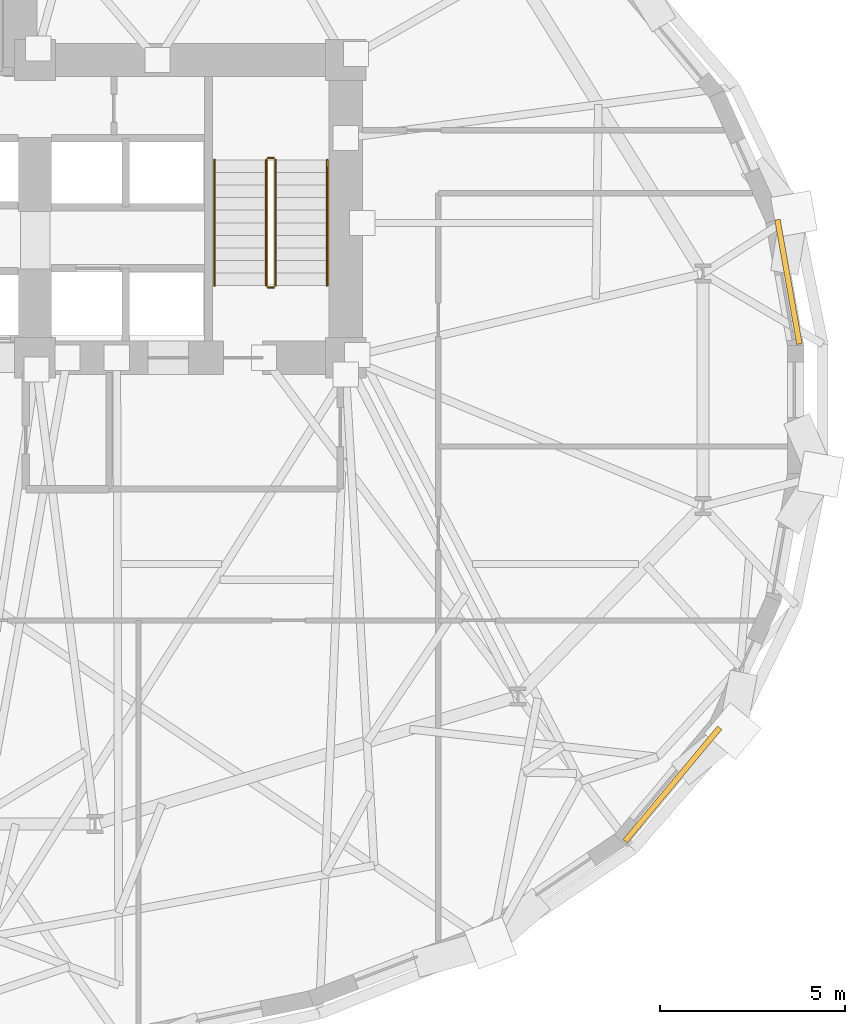
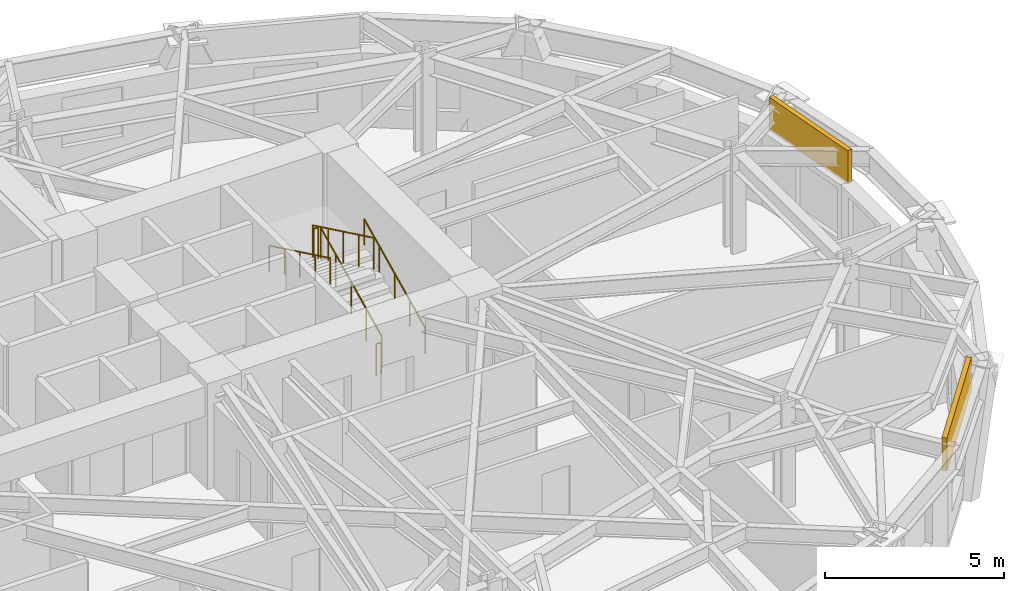
# One storey, part 12 of 13: 6 railings, 2 coverings.
"""IFC4 building model written with IfcOpenShell, lengths in metres."""

import ifcopenshell
import ifcopenshell.guid

model = None  # the IFC model being written
_history = None  # IfcOwnerHistory: only IFC2X3 demands one
_inside = {}  # id of a spatial element -> (the spatial element, [elements in it])
_under = {}  # id of a project, library or spatial element -> (it, [spatial elements below it])
_declared = {}  # id of a project -> (the project, [libraries it declares])
_typed = {}  # id of a type object -> (the type object, [elements of that type])
_made_of = {}  # id of a material, layer set ... -> (it, [elements and type objects made of it])


def new_model(schema):
    """Start an empty IFC model of exactly this schema.

    Asked for "IFC4X3", IfcOpenShell would pick the latest addendum, in which some entities
    have other attributes; the version numbers below select the first issue.
    IFC2X3 requires an IfcOwnerHistory on every rooted entity: one is made here for all.
    """
    global model, _history
    if schema == "IFC4X3":
        model = ifcopenshell.file(schema_version=(4, 3, 0, 0))
    else:
        model = ifcopenshell.file(schema=schema)
    _inside.clear()
    _under.clear()
    _declared.clear()
    _typed.clear()
    _made_of.clear()
    _history = None
    if model.schema == "IFC2X3":
        org = make("IfcOrganization", Name="unknown")
        user = make(
            "IfcPersonAndOrganization",
            ThePerson=make("IfcPerson", FamilyName="unknown"),
            TheOrganization=org,
        )
        app = make(
            "IfcApplication",
            ApplicationDeveloper=org,
            Version="unknown",
            ApplicationFullName="unknown",
            ApplicationIdentifier="unknown",
        )
        _history = make(
            "IfcOwnerHistory",
            OwningUser=user,
            OwningApplication=app,
            ChangeAction="ADDED",
            CreationDate=0,
        )
    return model


def make(cls, **values):
    """One entity of the class cls with the attributes given. An attribute that is None is left unset."""
    return model.create_entity(
        cls, **{name: value for name, value in values.items() if value is not None}
    )


def rooted(cls, **values):
    """An entity with a GlobalId (a new one), such as an element, a storey or a relation."""
    return make(cls, GlobalId=ifcopenshell.guid.new(), OwnerHistory=_history, **values)


def si_unit(unit_type, name, prefix=None):
    """IfcSIUnit, for example si_unit("LENGTHUNIT", "METRE", prefix="MILLI")."""
    return make("IfcSIUnit", UnitType=unit_type, Prefix=prefix, Name=name)


def assignment(units):
    """IfcUnitAssignment: the units of a project."""
    return None if units is None else make("IfcUnitAssignment", Units=units)


def point(xyz):
    """IfcCartesianPoint."""
    return None if xyz is None else make("IfcCartesianPoint", Coordinates=xyz)


def direction(xyz):
    """IfcDirection."""
    return None if xyz is None else make("IfcDirection", DirectionRatios=xyz)


def frame(location, z_axis=None, x_axis=None):
    """IfcAxis2Placement3D, a coordinate frame: its origin and axes. An axis left out is left unset."""
    return make(
        "IfcAxis2Placement3D",
        Location=point(location),
        Axis=direction(z_axis),
        RefDirection=direction(x_axis),
    )


def frame_2d(location, x_axis=None):
    """IfcAxis2Placement2D, a coordinate frame in the plane: its origin and x axis."""
    return make(
        "IfcAxis2Placement2D", Location=point(location), RefDirection=direction(x_axis)
    )


def origin():
    """The frame at (0, 0, 0) with its axes left unset."""
    return frame((0.0, 0.0, 0.0))


def origin_2d():
    """The frame at (0, 0) in the plane with its x axis left unset."""
    return frame_2d((0.0, 0.0))


def place(relative_to, where):
    """IfcLocalPlacement: puts the frame where relative to a parent placement (None: the world)."""
    return make(
        "IfcLocalPlacement", PlacementRelTo=relative_to, RelativePlacement=where
    )


def context(
    kind, dimensions, precision=None, world=None, true_north=None, identifier=None
):
    """IfcGeometricRepresentationContext, for example the 3D "Model" context."""
    return make(
        "IfcGeometricRepresentationContext",
        ContextIdentifier=identifier,
        ContextType=kind,
        CoordinateSpaceDimension=dimensions,
        Precision=precision,
        WorldCoordinateSystem=world,
        TrueNorth=true_north,
    )


def subcontext(parent, identifier, kind, view, scale=None):
    """IfcGeometricRepresentationSubContext, for example "Body" below "Model"."""
    return make(
        "IfcGeometricRepresentationSubContext",
        ContextIdentifier=identifier,
        ContextType=kind,
        ParentContext=parent,
        TargetScale=scale,
        TargetView=view,
    )


def project(units=None, contexts=None):
    """IfcProject with its units and contexts."""
    return rooted(
        "IfcProject",
        Name="project",
        RepresentationContexts=contexts,
        UnitsInContext=assignment(units),
    )


def spatial(cls, under=None, at=None, **own):
    """A site, building, storey or space (cls), placed at a placement, below another one or the project."""
    s = rooted(cls, ObjectPlacement=at, **own)
    if under is not None:
        _under.setdefault(under.id(), (under, []))[1].append(s)
    return s


def profile(cls, at=None, kind="AREA", **sizes):
    """A parametric profile (cls). Its sizes go by their IFC names, for example OverallWidth=200.0."""
    return make(cls, ProfileType=kind, Position=at, **sizes)


def rectangle(**sizes):
    """IfcRectangleProfileDef."""
    return profile("IfcRectangleProfileDef", **sizes)


def circle(**sizes):
    """IfcCircleProfileDef."""
    return profile("IfcCircleProfileDef", **sizes)


def extrude(swept, where, along, depth):
    """IfcExtrudedAreaSolid: the profile swept, set in the frame where, extruded along a direction by depth."""
    return make(
        "IfcExtrudedAreaSolid",
        SweptArea=swept,
        Position=where,
        ExtrudedDirection=direction(along),
        Depth=depth,
    )


def shape(context_of_items, identifier, shape_type, items):
    """IfcShapeRepresentation: the items that make up one representation, for example the "Body"."""
    return make(
        "IfcShapeRepresentation",
        ContextOfItems=context_of_items,
        RepresentationIdentifier=identifier,
        RepresentationType=shape_type,
        Items=items,
    )


def material(Name=None, Category=None):
    """IfcMaterial."""
    return make("IfcMaterial", Name=Name, Category=Category)


def layer(
    of_material, thickness, ventilated=None, Name=None, Category=None, Priority=None
):
    """IfcMaterialLayer: one layer of a wall or slab, of a material (None: an air gap)."""
    return make(
        "IfcMaterialLayer",
        Material=of_material,
        LayerThickness=thickness,
        IsVentilated=ventilated,
        Name=Name,
        Category=Category,
        Priority=Priority,
    )


def layer_set(layers, Name=None):
    """IfcMaterialLayerSet."""
    return make("IfcMaterialLayerSet", MaterialLayers=layers, LayerSetName=Name)


def made_of(thing, what):
    """Note that an element or type object is made of a material, layer set ...; save() writes the relation."""
    if what is not None:
        _made_of.setdefault(what.id(), (what, []))[1].append(thing)
    return thing


def type_object(cls, material=None, **own):
    """A type object (cls), such as IfcWallType, which elements share."""
    return made_of(rooted(cls, **own), material)


def element(
    cls,
    number,
    at=None,
    inside=None,
    cuts=None,
    type_object=None,
    material=None,
    context=None,
    identifier="Body",
    shape_type=None,
    held_by="IfcProductDefinitionShape",
    body=None,
    shapes=None,
    **own,
):
    """One element of the class cls, such as IfcWall. Its Tag is "e" and its number.

    at: its placement. inside: the storey or other place that contains it. cuts: it is an
    opening in that element (IfcRelVoidsElement). A single representation is given by context,
    identifier, shape_type and body (its items); several are given by shapes. held_by: the class
    of the entity that holds the representations. save() writes the other relations.
    """
    e = rooted(cls, Tag="e%d" % number, ObjectPlacement=at, **own)
    if body is not None:
        shapes = [shape(context, identifier, shape_type, body)]
    if shapes is not None:
        e.Representation = make(held_by, Representations=shapes)
    if inside is not None:
        _inside.setdefault(inside.id(), (inside, []))[1].append(e)
    if cuts is not None:
        rooted(
            "IfcRelVoidsElement", RelatingBuildingElement=cuts, RelatedOpeningElement=e
        )
    if type_object is not None:
        _typed.setdefault(type_object.id(), (type_object, []))[1].append(e)
    return made_of(e, material)


def aggregate(whole, parts):
    """IfcRelAggregates: a whole, such as a stair, and the parts it consists of."""
    return rooted("IfcRelAggregates", RelatingObject=whole, RelatedObjects=parts)


def save(model, path):
    """Write the relations noted so far, then the file.

    IfcRelAggregates (storeys below a building ...), IfcRelContainedInSpatialStructure (elements
    in a storey), IfcRelDefinesByType, IfcRelAssociatesMaterial and IfcRelDeclares: one each for
    every whole, place, type object, material and project.
    """
    for whole, parts in _under.values():
        aggregate(whole, parts)
    for where, things in _inside.values():
        rooted(
            "IfcRelContainedInSpatialStructure",
            RelatedElements=things,
            RelatingStructure=where,
        )
    for kind, things in _typed.values():
        rooted("IfcRelDefinesByType", RelatedObjects=things, RelatingType=kind)
    for what, things in _made_of.values():
        rooted("IfcRelAssociatesMaterial", RelatedObjects=things, RelatingMaterial=what)
    for by, libraries in _declared.values():
        rooted("IfcRelDeclares", RelatingContext=by, RelatedDefinitions=libraries)
    model.write(path)


model = new_model("IFC4")

# Units and contexts
model_context = context("Model", 3, precision=1e-05, world=origin(), true_north=direction((0.0, 1.0)))
body_context = subcontext(model_context, "Body", "Model", "MODEL_VIEW")
ifc_project = project(units=[si_unit("LENGTHUNIT", "METRE"), si_unit("AREAUNIT", "SQUARE_METRE"), si_unit("VOLUMEUNIT", "CUBIC_METRE"), si_unit("PLANEANGLEUNIT", "RADIAN"), si_unit("MASSUNIT", "GRAM", prefix="KILO")], contexts=[model_context])

# Site, building, storey
site_placement = place(None, origin())
site = spatial("IfcSite", under=ifc_project, at=site_placement, CompositionType="ELEMENT")
building_placement = place(site_placement, origin())
building = spatial("IfcBuilding", under=site, at=building_placement, Name="Keldmark Tower", CompositionType="ELEMENT")
storey_placement = place(building_placement, frame((0.0, 0.0, 34.199951171875)))
storey = spatial("IfcBuildingStorey", under=building, at=storey_placement, Name="L08", CompositionType="ELEMENT", Elevation=34.199951171875)

# Coverings
ifc_material_1 = material(Name="Honed Kasota Buff Dolomitic Limestone", Category="masonry")
ifc_layer = layer(ifc_material_1, 0.074951171875)
ifc_layer_set = layer_set([ifc_layer], Name="Honed Kasota Buff Dolomitic Limestone")
covering_type = type_object("IfcCoveringType", Name="Kasota Buff Limestone Spandrel Cladding Band", PredefinedType="CLADDING", material=ifc_layer_set)
covering_1_placement = place(storey_placement, frame((25.5673828125, 3.453125, 2.453125), z_axis=(0.0, 0.0, 1.0), x_axis=(-0.174026303888, 0.984741004303, 0.0)))
element("IfcCovering", 1, at=covering_1_placement, inside=storey, type_object=covering_type, Name="L08 Kasota Limestone Spandrel Band 01", PredefinedType="CLADDING", context=body_context, shape_type="SweptSolid", body=[
    extrude(rectangle(XDim=3.412353515625, YDim=0.14990234375, at=origin_2d()), origin(), (0.0, 0.0, 1.0), 1.126953125),
])
covering_2_placement = place(storey_placement, frame((22.430419921875, -10.133544921875, 2.453125), z_axis=(0.0, 0.0, 1.0), x_axis=(0.640686109478, 0.767802910337, 0.0)))
element("IfcCovering", 2, at=covering_2_placement, inside=storey, type_object=covering_type, Name="L08 Kasota Limestone Spandrel Band 29", PredefinedType="CLADDING", context=body_context, shape_type="SweptSolid", body=[
    extrude(rectangle(XDim=3.989501953125, YDim=0.14990234375, at=origin_2d()), origin(), (0.0, 0.0, 1.0), 1.126953125),
])

# Railings
ifc_material_2 = material(Name="Painted Steel ASTM A500 Grade B", Category="steel")
railing_type_1 = type_object("IfcRailingType", Name="Painted Steel Stair Well Guard 1100 mm", PredefinedType="GUARDRAIL", material=ifc_material_2)
railing_1_placement = place(storey_placement, frame((11.699951171875, 3.35009765625, 0.16357421875)))
element("IfcRailing", 3, at=railing_1_placement, inside=storey, type_object=railing_type_1, Name="L08 ST2 stair guard 1", PredefinedType="GUARDRAIL", context=body_context, shape_type="SweptSolid", body=[
    extrude(circle(Radius=0.02392578125, at=origin_2d()), frame((0.0, 0.0, 1.076171875), z_axis=(0.0, 0.901055053782, 0.433704726806), x_axis=(-1.0, 0.0, 0.0)), (0.0, 0.0, 1.0), 3.773193359375),
    extrude(circle(Radius=0.02099609375, at=origin_2d()), origin(), (0.0, 0.0, 1.0), 1.052001953125),
    extrude(circle(Radius=0.02099609375, at=origin_2d()), frame((0.0, 0.85009765625, 0.4091796875)), (0.0, 0.0, 1.0), 1.052001953125),
    extrude(circle(Radius=0.02099609375, at=origin_2d()), frame((0.0, 1.699951171875, 0.818359375)), (0.0, 0.0, 1.0), 1.052001953125),
    extrude(circle(Radius=0.02099609375, at=origin_2d()), frame((0.0, 2.5498046875, 1.227294921875)), (0.0, 0.0, 1.0), 1.052001953125),
    extrude(circle(Radius=0.02099609375, at=origin_2d()), frame((0.0, 3.39990234375, 1.636474609375)), (0.0, 0.0, 1.0), 1.052001953125),
])
railing_2_placement = place(storey_placement, frame((11.64990234375, 6.800048828125, 1.800048828125)))
element("IfcRailing", 4, at=railing_2_placement, inside=storey, type_object=railing_type_1, Name="L08 ST2 stair guard 2", PredefinedType="GUARDRAIL", context=body_context, shape_type="SweptSolid", body=[
    extrude(circle(Radius=0.02392578125, at=origin_2d()), frame((0.0, 0.0, 1.076171875), z_axis=(-1.0, 0.0, 0.0), x_axis=(0.0, -1.0, 0.0)), (0.0, 0.0, 1.0), 0.14990234375),
    extrude(circle(Radius=0.02099609375, at=origin_2d()), origin(), (0.0, 0.0, 1.0), 1.052001953125),
    extrude(circle(Radius=0.02099609375, at=origin_2d()), frame((-0.14990234375, 0.0, 0.0)), (0.0, 0.0, 1.0), 1.052001953125),
])
railing_3_placement = place(storey_placement, frame((11.449951171875, 6.75, 1.963623046875)))
element("IfcRailing", 5, at=railing_3_placement, inside=storey, type_object=railing_type_1, Name="L08 ST2 stair guard 3", PredefinedType="GUARDRAIL", context=body_context, shape_type="SweptSolid", body=[
    extrude(circle(Radius=0.02392578125, at=origin_2d()), frame((0.0, 0.0, 1.076171875), z_axis=(0.0, -0.901055053782, 0.433704726806), x_axis=(1.0, 0.0, 0.0)), (0.0, 0.0, 1.0), 3.773193359375),
    extrude(circle(Radius=0.02099609375, at=origin_2d()), origin(), (0.0, 0.0, 1.0), 1.052001953125),
    extrude(circle(Radius=0.02099609375, at=origin_2d()), frame((0.0, -0.85009765625, 0.4091796875)), (0.0, 0.0, 1.0), 1.052001953125),
    extrude(circle(Radius=0.02099609375, at=origin_2d()), frame((0.0, -1.699951171875, 0.818359375)), (0.0, 0.0, 1.0), 1.052001953125),
    extrude(circle(Radius=0.02099609375, at=origin_2d()), frame((0.0, -2.5498046875, 1.227294921875)), (0.0, 0.0, 1.0), 1.052001953125),
    extrude(circle(Radius=0.02099609375, at=origin_2d()), frame((0.0, -3.39990234375, 1.636474609375)), (0.0, 0.0, 1.0), 1.052001953125),
])
railing_4_placement = place(storey_placement, frame((11.64990234375, 3.300048828125, 0.0)))
element("IfcRailing", 6, at=railing_4_placement, inside=storey, type_object=railing_type_1, Name="L08 ST2 stair guard 4", PredefinedType="GUARDRAIL", context=body_context, shape_type="SweptSolid", body=[
    extrude(circle(Radius=0.02392578125, at=origin_2d()), frame((0.0, 0.0, 1.076171875), z_axis=(-1.0, 0.0, 0.0), x_axis=(0.0, -1.0, 0.0)), (0.0, 0.0, 1.0), 0.14990234375),
    extrude(circle(Radius=0.02099609375, at=origin_2d()), origin(), (0.0, 0.0, 1.0), 1.052001953125),
    extrude(circle(Radius=0.02099609375, at=origin_2d()), frame((-0.14990234375, 0.0, 0.0)), (0.0, 0.0, 1.0), 1.052001953125),
])
ifc_material_3 = material(Name="Stainless Steel AISI 316L", Category="steel")
railing_type_2 = type_object("IfcRailingType", Name="Stainless Steel Stair Handrail 900 mm", PredefinedType="HANDRAIL", material=ifc_material_3)
railing_5_placement = place(storey_placement, frame((13.10009765625, 3.35009765625, 0.16357421875)))
element("IfcRailing", 7, at=railing_5_placement, inside=storey, type_object=railing_type_2, Name="L08 ST2 stair handrail 1", PredefinedType="HANDRAIL", context=body_context, shape_type="SweptSolid", body=[
    extrude(circle(Radius=0.02392578125, at=origin_2d()), frame((0.0, 0.0, 0.8759765625), z_axis=(0.0, 0.901055053782, 0.433704726806), x_axis=(-1.0, 0.0, 0.0)), (0.0, 0.0, 1.0), 3.773193359375),
    extrude(circle(Radius=0.02099609375, at=origin_2d()), origin(), (0.0, 0.0, 1.0), 0.851806640625),
    extrude(circle(Radius=0.02099609375, at=origin_2d()), frame((0.0, 0.85009765625, 0.4091796875)), (0.0, 0.0, 1.0), 0.851806640625),
    extrude(circle(Radius=0.02099609375, at=origin_2d()), frame((0.0, 1.699951171875, 0.818359375)), (0.0, 0.0, 1.0), 0.851806640625),
    extrude(circle(Radius=0.02099609375, at=origin_2d()), frame((0.0, 2.5498046875, 1.227294921875)), (0.0, 0.0, 1.0), 0.851806640625),
    extrude(circle(Radius=0.02099609375, at=origin_2d()), frame((0.0, 3.39990234375, 1.636474609375)), (0.0, 0.0, 1.0), 0.851806640625),
])
railing_6_placement = place(storey_placement, frame((10.050048828125, 6.75, 1.963623046875)))
element("IfcRailing", 8, at=railing_6_placement, inside=storey, type_object=railing_type_2, Name="L08 ST2 stair handrail 2", PredefinedType="HANDRAIL", context=body_context, shape_type="SweptSolid", body=[
    extrude(circle(Radius=0.02392578125, at=origin_2d()), frame((0.0, 0.0, 0.8759765625), z_axis=(0.0, -0.901055053782, 0.433704726806), x_axis=(1.0, 0.0, 0.0)), (0.0, 0.0, 1.0), 3.773193359375),
    extrude(circle(Radius=0.02099609375, at=origin_2d()), origin(), (0.0, 0.0, 1.0), 0.851806640625),
    extrude(circle(Radius=0.02099609375, at=origin_2d()), frame((0.0, -0.85009765625, 0.4091796875)), (0.0, 0.0, 1.0), 0.851806640625),
    extrude(circle(Radius=0.02099609375, at=origin_2d()), frame((0.0, -1.699951171875, 0.818359375)), (0.0, 0.0, 1.0), 0.851806640625),
    extrude(circle(Radius=0.02099609375, at=origin_2d()), frame((0.0, -2.5498046875, 1.227294921875)), (0.0, 0.0, 1.0), 0.851806640625),
    extrude(circle(Radius=0.02099609375, at=origin_2d()), frame((0.0, -3.39990234375, 1.636474609375)), (0.0, 0.0, 1.0), 0.851806640625),
])

save(model, "model.ifc")
